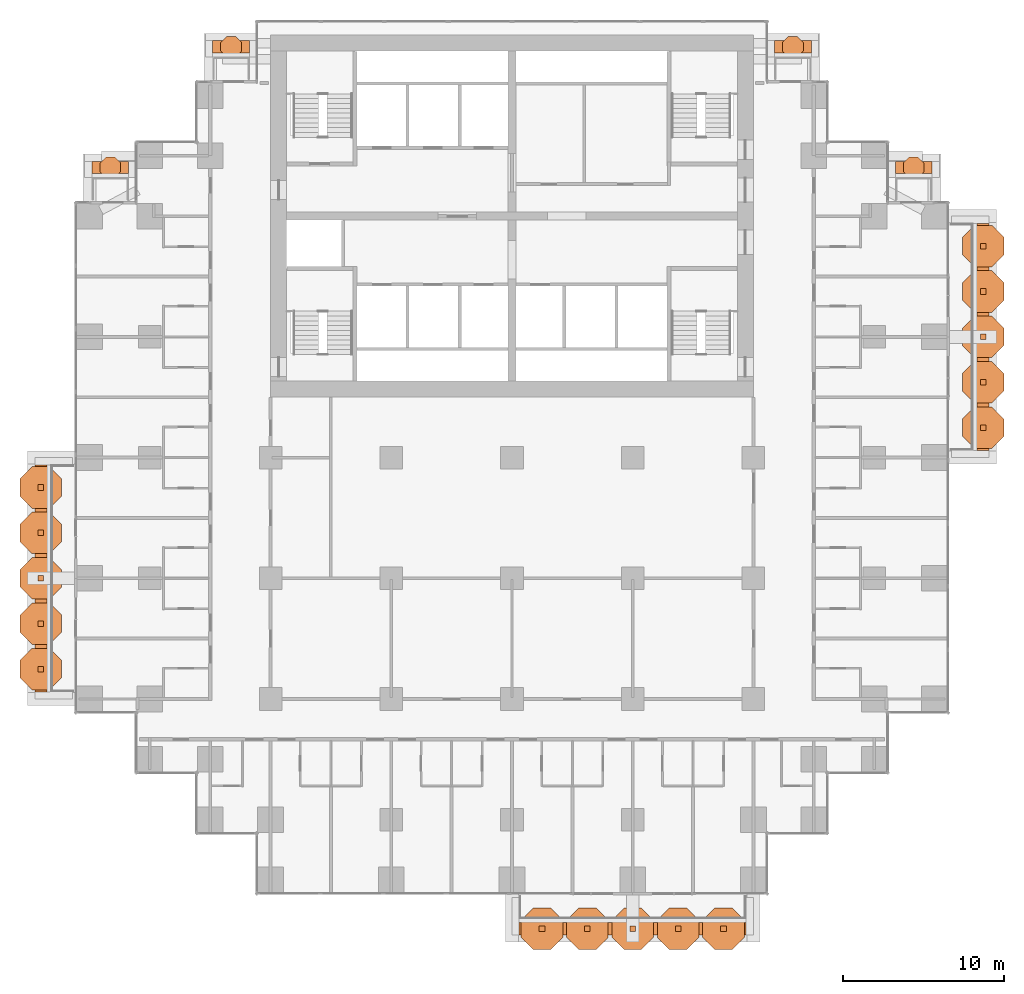
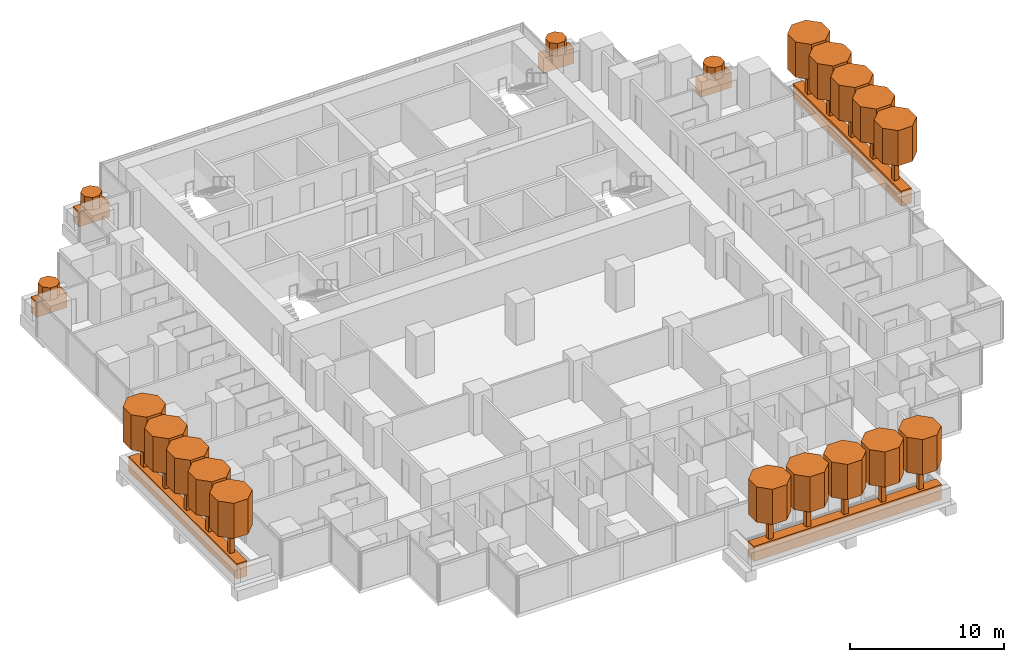
# One storey, part 19 of 19: 41 geographic elements.
"""IFC4 building model written with IfcOpenShell, lengths in metres."""

from ifc_helpers import new_model, si_unit, direction, frame, origin, origin_2d, place, context, subcontext, project, spatial, polyline, rectangle, outline, extrude, material, material_profile, profile_set, type_object, element, save


model = new_model("IFC4")

# Units and contexts
model_context = context("Model", 3, precision=1e-05, world=origin(), true_north=direction((0.0, 1.0)))
body_context = subcontext(model_context, "Body", "Model", "MODEL_VIEW")
ifc_project = project(units=[si_unit("LENGTHUNIT", "METRE"), si_unit("AREAUNIT", "SQUARE_METRE"), si_unit("VOLUMEUNIT", "CUBIC_METRE"), si_unit("PLANEANGLEUNIT", "RADIAN"), si_unit("MASSUNIT", "GRAM", prefix="KILO")], contexts=[model_context])

# Site, building, storey
site_placement = place(None, origin())
site = spatial("IfcSite", under=ifc_project, at=site_placement, CompositionType="ELEMENT")
building_placement = place(site_placement, origin())
building = spatial("IfcBuilding", under=site, at=building_placement, Name="Pilkhan Gate Tower", CompositionType="ELEMENT")
storey_placement = place(building_placement, frame((0.0, 0.0, 39.5)))
storey = spatial("IfcBuildingStorey", under=building, at=storey_placement, Name="L06", CompositionType="ELEMENT", Elevation=39.5)

# Geographic elements
ifc_material_1 = material(Name="Foliage")
ifc_material_profile_1 = material_profile(ifc_material_1, rectangle(XDim=0.75, YDim=1.199951171875, at=origin_2d()), Name="Bed 750x1200")
ifc_profile_set_1 = profile_set([ifc_material_profile_1], Name="Foliage")
geographic_element_type_1 = type_object("IfcGeographicElementType", Name="Planting bed PB1", PredefinedType="USERDEFINED", material=ifc_profile_set_1)
for number, where, z_axis, x_axis, name in (
    (1, (75.449951171875, 38.22509765625, 0.60009765625), (1.0, 0.0, 0.0), (0.0, 1.0, 0.0), "Balcony L06 S planting bed"),
    (2, (104.27490234375, 67.949951171875, 0.60009765625), (0.0, 1.0, 0.0), (-1.0, 0.0, 0.0), "Balcony L06 E planting bed"),
):
    element("IfcGeographicElement", number, at=place(storey_placement, frame(where, z_axis=z_axis, x_axis=x_axis)), inside=storey, type_object=geographic_element_type_1, Name=name, ObjectType="PLANTING BED", PredefinedType="USERDEFINED", context=body_context, shape_type="SweptSolid", body=[
        extrude(rectangle(XDim=0.75, YDim=1.199951171875, at=origin_2d()), origin(), (0.0, 0.0, 1.0), 14.10009765625),
    ])
for number, where, z_axis, x_axis, name in (
    (3, (56.39990234375, 93.02490234375, 0.60009765625), (1.0, 0.0, 0.0), (0.0, 1.0, 0.0), "Balcony L06 N planting bed"),
    (4, (91.300048828125, 93.02490234375, 0.60009765625), (1.0, 0.0, 0.0), (0.0, 1.0, 0.0), "Balcony L06 N planting bed"),
):
    element("IfcGeographicElement", number, at=place(storey_placement, frame(where, z_axis=z_axis, x_axis=x_axis)), inside=storey, type_object=geographic_element_type_1, Name=name, ObjectType="PLANTING BED", PredefinedType="USERDEFINED", context=body_context, shape_type="SweptSolid", body=[
        extrude(rectangle(XDim=0.75, YDim=1.199951171875, at=origin_2d()), origin(), (0.0, 0.0, 1.0), 2.300048828125),
    ])
for number, where, z_axis, x_axis, name in (
    (5, (48.89990234375, 85.52490234375, 0.60009765625), (1.0, 0.0, 0.0), (0.0, 1.0, 0.0), "Balcony L06 N planting bed"),
    (6, (98.820068359375, 85.52490234375, 0.60009765625), (1.0, 0.0, 0.0), (0.0, 1.0, 0.0), "Balcony L06 N planting bed"),
):
    element("IfcGeographicElement", number, at=place(storey_placement, frame(where, z_axis=z_axis, x_axis=x_axis)), inside=storey, type_object=geographic_element_type_1, Name=name, ObjectType="PLANTING BED", PredefinedType="USERDEFINED", context=body_context, shape_type="SweptSolid", body=[
        extrude(rectangle(XDim=0.75, YDim=1.199951171875, at=origin_2d()), origin(), (0.0, 0.0, 1.0), 2.280029296875),
    ])
geographic_element_placement = place(storey_placement, frame((45.72509765625, 52.949951171875, 0.60009765625), z_axis=(0.0, 1.0, 0.0), x_axis=(-1.0, 0.0, 0.0)))
element("IfcGeographicElement", 7, at=geographic_element_placement, inside=storey, type_object=geographic_element_type_1, Name="Balcony L06 W planting bed", ObjectType="PLANTING BED", PredefinedType="USERDEFINED", context=body_context, shape_type="SweptSolid", body=[
    extrude(rectangle(XDim=0.75, YDim=1.199951171875, at=origin_2d()), origin(), (0.0, 0.0, 1.0), 14.10009765625),
])
ifc_material_profile_2 = material_profile(ifc_material_1, outline(polyline([(0.646728515625, 0.267822265625), (0.267822265625, 0.646728515625), (-0.267822265625, 0.646728515625), (-0.646728515625, 0.267822265625), (-0.646728515625, -0.267822265625), (-0.267822265625, -0.646728515625), (0.267822265625, -0.646728515625), (0.646728515625, -0.267822265625), (0.646728515625, 0.267822265625)])), Name="Shrub D1.4")
ifc_profile_set_2 = profile_set([ifc_material_profile_2], Name="Foliage")
geographic_element_type_2 = type_object("IfcGeographicElementType", Name="Shrub SH07", PredefinedType="USERDEFINED", material=ifc_profile_set_2)
for number, where, z_axis, x_axis, name in (
    (8, (57.550048828125, 93.02490234375, 1.199951171875), (0.0, 0.0, 1.0), (1.0, 0.0, 0.0), "Shrub L06 N 1"),
    (9, (92.449951171875, 93.02490234375, 1.199951171875), (0.0, 0.0, 1.0), (1.0, 0.0, 0.0), "Shrub L06 N 1"),
    (10, (50.0400390625, 85.52490234375, 1.199951171875), (0.0, 0.0, 1.0), (1.0, 0.0, 0.0), "Shrub L06 N 1"),
    (11, (99.9599609375, 85.52490234375, 1.199951171875), (0.0, 0.0, 1.0), (1.0, 0.0, 0.0), "Shrub L06 N 1"),
):
    element("IfcGeographicElement", number, at=place(storey_placement, frame(where, z_axis=z_axis, x_axis=x_axis)), inside=storey, type_object=geographic_element_type_2, Name=name, ObjectType="SHRUB", PredefinedType="USERDEFINED", context=body_context, shape_type="SweptSolid", body=[
        extrude(outline(polyline([(0.646728515625, 0.267822265625), (0.267822265625, 0.646728515625), (-0.267822265625, 0.646728515625), (-0.646728515625, 0.267822265625), (-0.646728515625, -0.267822265625), (-0.267822265625, -0.646728515625), (0.267822265625, -0.646728515625), (0.646728515625, -0.267822265625), (0.646728515625, 0.267822265625)])), origin(), (0.0, 0.0, 1.0), 1.0),
    ])
ifc_material_profile_3 = material_profile(ifc_material_1, outline(polyline([(1.29345703125, 0.535888671875), (0.535888671875, 1.29345703125), (-0.535888671875, 1.29345703125), (-1.29345703125, 0.535888671875), (-1.29345703125, -0.535888671875), (-0.535888671875, -1.29345703125), (0.535888671875, -1.29345703125), (1.29345703125, -0.535888671875), (1.29345703125, 0.535888671875)])), Name="Canopy D2.8")
ifc_profile_set_3 = profile_set([ifc_material_profile_3], Name="Foliage")
geographic_element_type_3 = type_object("IfcGeographicElementType", Name="Tree canopy TC14", PredefinedType="USERDEFINED", material=ifc_profile_set_3)
for number, where, z_axis, x_axis, name in (
    (12, (76.860107421875, 38.22509765625, 3.199951171875), (0.0, 0.0, 1.0), (1.0, 0.0, 0.0), "Tree L06 S 1 canopy"),
    (13, (79.679931640625, 38.22509765625, 3.199951171875), (0.0, 0.0, 1.0), (1.0, 0.0, 0.0), "Tree L06 S 2 canopy"),
    (14, (82.5, 38.22509765625, 3.199951171875), (0.0, 0.0, 1.0), (1.0, 0.0, 0.0), "Tree L06 S 3 canopy"),
    (15, (85.320068359375, 38.22509765625, 3.199951171875), (0.0, 0.0, 1.0), (1.0, 0.0, 0.0), "Tree L06 S 4 canopy"),
    (16, (88.139892578125, 38.22509765625, 3.199951171875), (0.0, 0.0, 1.0), (1.0, 0.0, 0.0), "Tree L06 S 5 canopy"),
    (17, (104.27490234375, 69.360107421875, 3.199951171875), (0.0, 0.0, 1.0), (1.0, 0.0, 0.0), "Tree L06 E 1 canopy"),
    (18, (104.27490234375, 72.179931640625, 3.199951171875), (0.0, 0.0, 1.0), (1.0, 0.0, 0.0), "Tree L06 E 2 canopy"),
    (19, (104.27490234375, 75.0, 3.199951171875), (0.0, 0.0, 1.0), (1.0, 0.0, 0.0), "Tree L06 E 3 canopy"),
    (20, (104.27490234375, 77.820068359375, 3.199951171875), (0.0, 0.0, 1.0), (1.0, 0.0, 0.0), "Tree L06 E 4 canopy"),
    (21, (104.27490234375, 80.639892578125, 3.199951171875), (0.0, 0.0, 1.0), (1.0, 0.0, 0.0), "Tree L06 E 5 canopy"),
    (22, (45.72509765625, 54.360107421875, 3.199951171875), (0.0, 0.0, 1.0), (1.0, 0.0, 0.0), "Tree L06 W 1 canopy"),
    (23, (45.72509765625, 57.179931640625, 3.199951171875), (0.0, 0.0, 1.0), (1.0, 0.0, 0.0), "Tree L06 W 2 canopy"),
    (24, (45.72509765625, 60.0, 3.199951171875), (0.0, 0.0, 1.0), (1.0, 0.0, 0.0), "Tree L06 W 3 canopy"),
    (25, (45.72509765625, 62.820068359375, 3.199951171875), (0.0, 0.0, 1.0), (1.0, 0.0, 0.0), "Tree L06 W 4 canopy"),
    (26, (45.72509765625, 65.639892578125, 3.199951171875), (0.0, 0.0, 1.0), (1.0, 0.0, 0.0), "Tree L06 W 5 canopy"),
):
    element("IfcGeographicElement", number, at=place(storey_placement, frame(where, z_axis=z_axis, x_axis=x_axis)), inside=storey, type_object=geographic_element_type_3, Name=name, ObjectType="TREE", PredefinedType="USERDEFINED", context=body_context, shape_type="SweptSolid", body=[
        extrude(outline(polyline([(1.29345703125, 0.535888671875), (0.535888671875, 1.29345703125), (-0.535888671875, 1.29345703125), (-1.29345703125, 0.535888671875), (-1.29345703125, -0.535888671875), (-0.535888671875, -1.29345703125), (0.535888671875, -1.29345703125), (1.29345703125, -0.535888671875), (1.29345703125, 0.535888671875)])), origin(), (0.0, 0.0, 1.0), 2.800048828125),
    ])
ifc_material_2 = material(Name="Timber trunk", Category="wood")
geographic_element_type_4 = type_object("IfcGeographicElementType", Name="Tree trunk TT1", PredefinedType="USERDEFINED", material=ifc_material_2)
for number, where, z_axis, x_axis, name in (
    (27, (76.860107421875, 38.22509765625, 1.199951171875), (0.0, 0.0, 1.0), (1.0, 0.0, 0.0), "Tree L06 S 1 trunk"),
    (28, (79.679931640625, 38.22509765625, 1.199951171875), (0.0, 0.0, 1.0), (1.0, 0.0, 0.0), "Tree L06 S 2 trunk"),
    (29, (82.5, 38.22509765625, 1.199951171875), (0.0, 0.0, 1.0), (1.0, 0.0, 0.0), "Tree L06 S 3 trunk"),
    (30, (85.320068359375, 38.22509765625, 1.199951171875), (0.0, 0.0, 1.0), (1.0, 0.0, 0.0), "Tree L06 S 4 trunk"),
    (31, (88.139892578125, 38.22509765625, 1.199951171875), (0.0, 0.0, 1.0), (1.0, 0.0, 0.0), "Tree L06 S 5 trunk"),
    (32, (104.27490234375, 69.360107421875, 1.199951171875), (0.0, 0.0, 1.0), (1.0, 0.0, 0.0), "Tree L06 E 1 trunk"),
    (33, (104.27490234375, 72.179931640625, 1.199951171875), (0.0, 0.0, 1.0), (1.0, 0.0, 0.0), "Tree L06 E 2 trunk"),
    (34, (104.27490234375, 75.0, 1.199951171875), (0.0, 0.0, 1.0), (1.0, 0.0, 0.0), "Tree L06 E 3 trunk"),
    (35, (104.27490234375, 77.820068359375, 1.199951171875), (0.0, 0.0, 1.0), (1.0, 0.0, 0.0), "Tree L06 E 4 trunk"),
    (36, (104.27490234375, 80.639892578125, 1.199951171875), (0.0, 0.0, 1.0), (1.0, 0.0, 0.0), "Tree L06 E 5 trunk"),
    (37, (45.72509765625, 54.360107421875, 1.199951171875), (0.0, 0.0, 1.0), (1.0, 0.0, 0.0), "Tree L06 W 1 trunk"),
    (38, (45.72509765625, 57.179931640625, 1.199951171875), (0.0, 0.0, 1.0), (1.0, 0.0, 0.0), "Tree L06 W 2 trunk"),
    (39, (45.72509765625, 60.0, 1.199951171875), (0.0, 0.0, 1.0), (1.0, 0.0, 0.0), "Tree L06 W 3 trunk"),
    (40, (45.72509765625, 62.820068359375, 1.199951171875), (0.0, 0.0, 1.0), (1.0, 0.0, 0.0), "Tree L06 W 4 trunk"),
    (41, (45.72509765625, 65.639892578125, 1.199951171875), (0.0, 0.0, 1.0), (1.0, 0.0, 0.0), "Tree L06 W 5 trunk"),
):
    element("IfcGeographicElement", number, at=place(storey_placement, frame(where, z_axis=z_axis, x_axis=x_axis)), inside=storey, type_object=geographic_element_type_4, Name=name, ObjectType="TREE", PredefinedType="USERDEFINED", context=body_context, shape_type="SweptSolid", body=[
        extrude(rectangle(XDim=0.35009765625, YDim=0.35009765625, at=origin_2d()), origin(), (0.0, 0.0, 1.0), 2.0),
    ])

save(model, "model.ifc")
